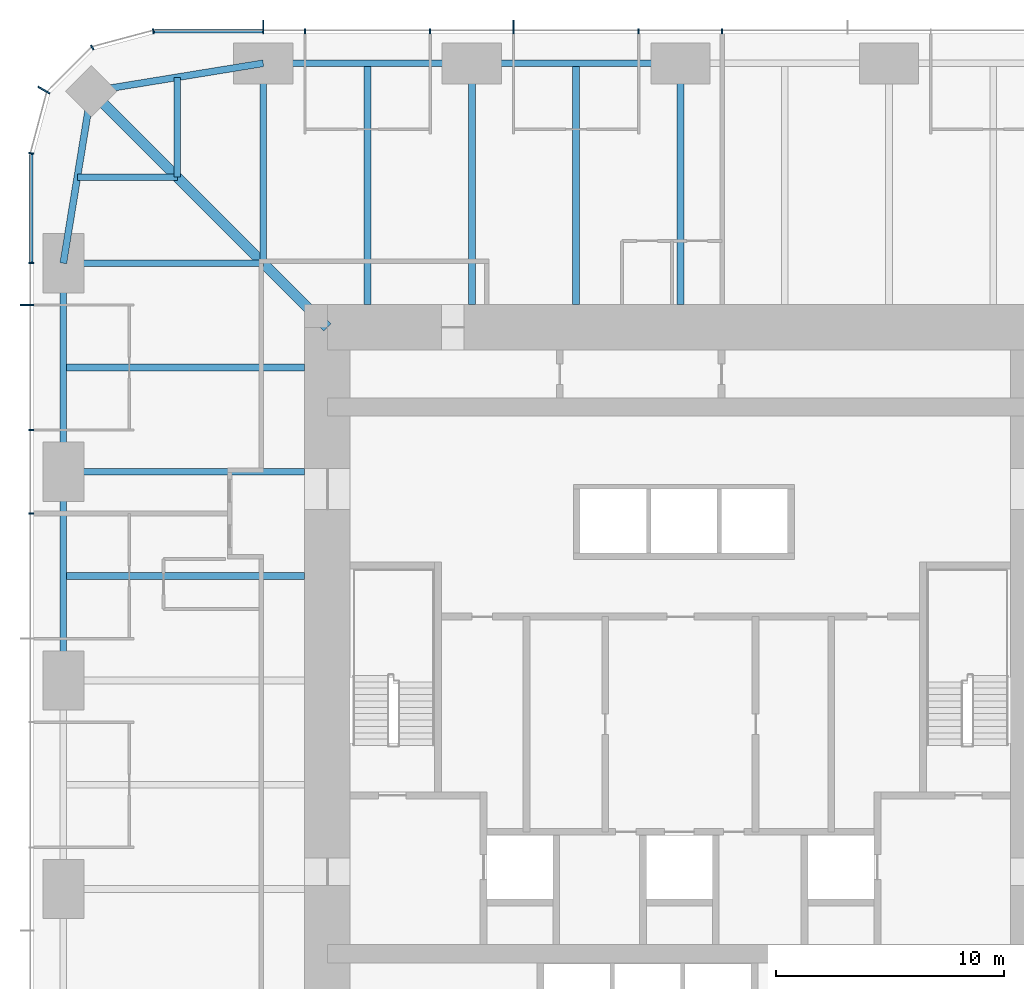
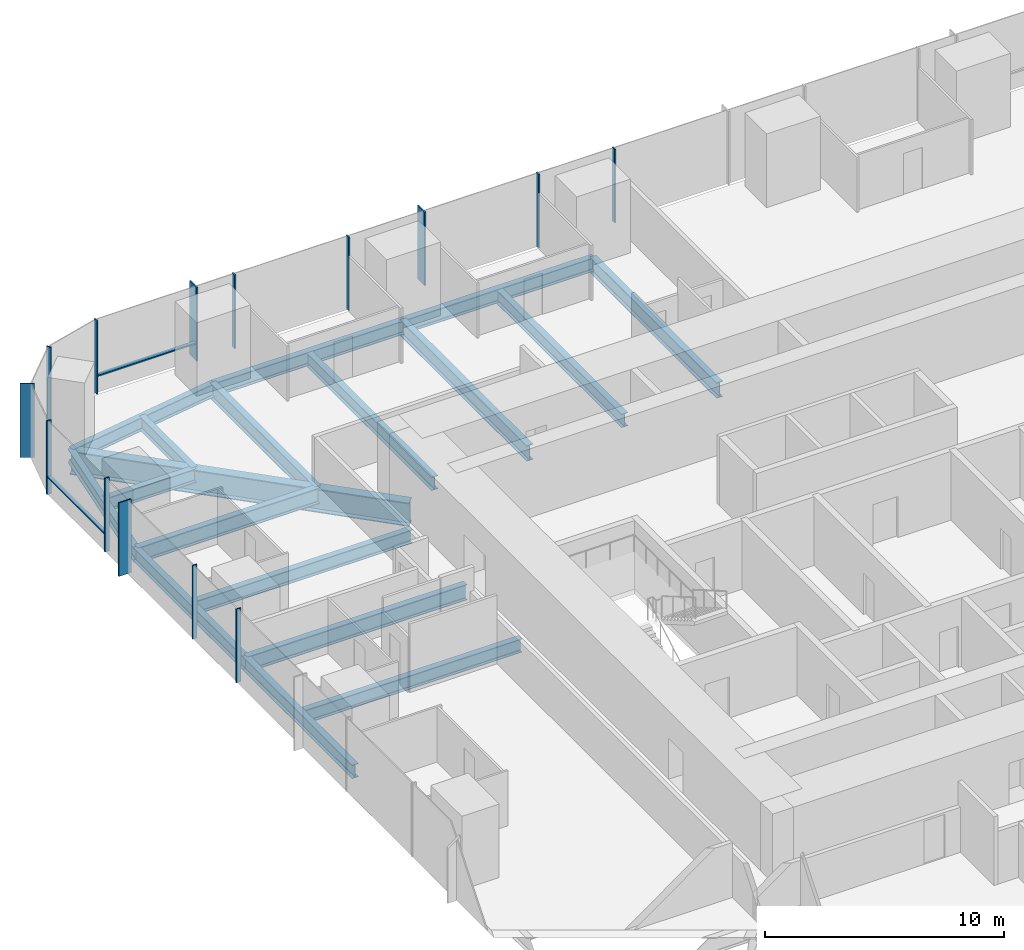
# One storey, part 5 of 12: 18 beams, 16 members, 3 elements without a shape of their own.
"""IFC4 building model written with IfcOpenShell, lengths in metres."""

from ifc_helpers import new_model, si_unit, direction, frame, origin, origin_2d, place, context, subcontext, project, spatial, rectangle, i_section, extrude, material, material_profile, profile_set, type_object, element, aggregate, save


model = new_model("IFC4")

# Units and contexts
model_context = context("Model", 3, precision=1e-05, world=origin(), true_north=direction((0.0, 1.0)))
body_context = subcontext(model_context, "Body", "Model", "MODEL_VIEW")
ifc_project = project(units=[si_unit("LENGTHUNIT", "METRE"), si_unit("AREAUNIT", "SQUARE_METRE"), si_unit("VOLUMEUNIT", "CUBIC_METRE"), si_unit("PLANEANGLEUNIT", "RADIAN"), si_unit("MASSUNIT", "GRAM", prefix="KILO")], contexts=[model_context])

# Site, building, storey
site_placement = place(None, origin())
site = spatial("IfcSite", under=ifc_project, at=site_placement, CompositionType="ELEMENT")
building_placement = place(site_placement, origin())
building = spatial("IfcBuilding", under=site, at=building_placement, Name="Khuree Lantern Residences", CompositionType="ELEMENT")
storey_placement = place(building_placement, frame((0.0, 0.0, 167.25)))
storey = spatial("IfcBuildingStorey", under=building, at=storey_placement, Name="L42", CompositionType="ELEMENT", Elevation=167.25)

# Beams
ifc_material_1 = material(Name="Steel S355", Category="steel")
ifc_material_profile_1 = material_profile(ifc_material_1, i_section(OverallWidth=0.300048828125, OverallDepth=0.68994140625, WebThickness=0.014404296875, FlangeThickness=0.027099609375, FilletRadius=0.027099609375, at=origin_2d()), Name="HE 700 A")
ifc_profile_set_1 = profile_set([ifc_material_profile_1], Name="Steel S355")
beam_type_1 = type_object("IfcBeamType", Name="B-24 SECONDARY BEAM HE 700 A", PredefinedType="BEAM", material=ifc_profile_set_1)
for number, where, z_axis, x_axis, name in (
    (1, (-13.739990234375, 27.10009765625, -0.594970703125), (0.0, -1.0, 0.0), (1.0, 0.0, 0.0), "Secondary beam N1"),
    (2, (-4.580078125, 27.10009765625, -0.594970703125), (0.0, -1.0, 0.0), (1.0, 0.0, 0.0), "Secondary beam N2"),
    (3, (-27.10009765625, 4.580078125, -0.594970703125), (1.0, 0.0, 0.0), (0.0, 1.0, 0.0), "Secondary beam W4"),
    (4, (-27.10009765625, 13.739990234375, -0.594970703125), (1.0, 0.0, 0.0), (0.0, 1.0, 0.0), "Secondary beam W5"),
):
    element("IfcBeam", number, at=place(storey_placement, frame(where, z_axis=z_axis, x_axis=x_axis)), inside=storey, type_object=beam_type_1, Name=name, PredefinedType="BEAM", context=body_context, shape_type="SweptSolid", body=[
        extrude(i_section(OverallWidth=0.300048828125, OverallDepth=0.68994140625, WebThickness=0.014404296875, FlangeThickness=0.027099609375, FilletRadius=0.027099609375, at=origin_2d()), origin(), (0.0, 0.0, 1.0), 10.60009765625),
    ])
for number, where, z_axis, x_axis, name in (
    (5, (-26.48486328125, 22.094970703125, -0.594970703125), (1.0, 0.0, 0.0), (0.0, 1.0, 0.0), "Secondary beam W6"),
    (6, (-22.094970703125, 26.48486328125, -0.594970703125), (0.0, -1.0, 0.0), (1.0, 0.0, 0.0), "Secondary beam N6"),
):
    element("IfcBeam", number, at=place(storey_placement, frame(where, z_axis=z_axis, x_axis=x_axis)), inside=storey, type_object=beam_type_1, Name=name, PredefinedType="BEAM", context=body_context, shape_type="SweptSolid", body=[
        extrude(i_section(OverallWidth=0.300048828125, OverallDepth=0.68994140625, WebThickness=0.014404296875, FlangeThickness=0.027099609375, FilletRadius=0.027099609375, at=origin_2d()), origin(), (0.0, 0.0, 1.0), 4.389892578125),
    ])
ifc_material_profile_2 = material_profile(ifc_material_1, i_section(OverallWidth=0.300048828125, OverallDepth=0.68994140625, WebThickness=0.014404296875, FlangeThickness=0.027099609375, FilletRadius=0.027099609375, at=origin_2d()), Name="HE 700 A")
ifc_profile_set_2 = profile_set([ifc_material_profile_2], Name="Steel S355")
beam_type_2 = type_object("IfcBeamType", Name="E-24 SPANDREL BEAM HE 700 A", PredefinedType="SPANDREL", material=ifc_profile_set_2)
beam_1_placement = place(storey_placement, frame((-18.320068359375, 27.10009765625, -0.594970703125), z_axis=(1.0, 0.0, 0.0), x_axis=(0.0, 1.0, 0.0)))
element("IfcBeam", 7, at=beam_1_placement, inside=storey, type_object=beam_type_2, Name="Spandrel beam N1", PredefinedType="SPANDREL", context=body_context, shape_type="SweptSolid", body=[
    extrude(i_section(OverallWidth=0.300048828125, OverallDepth=0.68994140625, WebThickness=0.014404296875, FlangeThickness=0.027099609375, FilletRadius=0.027099609375, at=origin_2d()), origin(), (0.0, 0.0, 1.0), 9.16015625),
])
for number, where, z_axis, x_axis, name in (
    (8, (-9.159912109375, 27.10009765625, -0.594970703125), (1.0, 0.0, 0.0), (0.0, 1.0, 0.0), "Spandrel beam N2"),
    (9, (-27.10009765625, 0.0, -0.594970703125), (0.0, 1.0, 0.0), (-1.0, 0.0, 0.0), "Spandrel beam W4"),
):
    element("IfcBeam", number, at=place(storey_placement, frame(where, z_axis=z_axis, x_axis=x_axis)), inside=storey, type_object=beam_type_2, Name=name, PredefinedType="SPANDREL", context=body_context, shape_type="SweptSolid", body=[
        extrude(i_section(OverallWidth=0.300048828125, OverallDepth=0.68994140625, WebThickness=0.014404296875, FlangeThickness=0.027099609375, FilletRadius=0.027099609375, at=origin_2d()), origin(), (0.0, 0.0, 1.0), 9.159912109375),
    ])
beam_2_placement = place(storey_placement, frame((-27.10009765625, 9.159912109375, -0.594970703125), z_axis=(0.0, 1.0, 0.0), x_axis=(-1.0, 0.0, 0.0)))
element("IfcBeam", 10, at=beam_2_placement, inside=storey, type_object=beam_type_2, Name="Spandrel beam W5", PredefinedType="SPANDREL", context=body_context, shape_type="SweptSolid", body=[
    extrude(i_section(OverallWidth=0.300048828125, OverallDepth=0.68994140625, WebThickness=0.014404296875, FlangeThickness=0.027099609375, FilletRadius=0.027099609375, at=origin_2d()), origin(), (0.0, 0.0, 1.0), 9.16015625),
])
for number, where, z_axis, x_axis, name in (
    (11, (-27.10009765625, 18.320068359375, -0.594970703125), (0.160826723833, 0.986982656839, 0.0), (-0.986982656839, 0.160826723833, 0.0), "Spandrel beam W6"),
    (12, (-25.869873046875, 25.869873046875, -0.594970703125), (0.986982656839, 0.160826723833, 0.0), (-0.160826723833, 0.986982656839, 0.0), "Spandrel beam N6"),
):
    element("IfcBeam", number, at=place(storey_placement, frame(where, z_axis=z_axis, x_axis=x_axis)), inside=storey, type_object=beam_type_2, Name=name, PredefinedType="SPANDREL", context=body_context, shape_type="SweptSolid", body=[
        extrude(i_section(OverallWidth=0.300048828125, OverallDepth=0.68994140625, WebThickness=0.014404296875, FlangeThickness=0.027099609375, FilletRadius=0.027099609375, at=origin_2d()), origin(), (0.0, 0.0, 1.0), 7.6494140625),
    ])

# Curtain wall, members
ifc_material_2 = material(Name="Bronze anodised aluminium", Category="aluminium")
curtain_wall_type_1 = type_object("IfcCurtainWallType", Name="CW-T1 TOWER FACE CURTAIN WALL", PredefinedType="USERDEFINED", material=ifc_material_2)
curtain_wall_1_placement = place(storey_placement, origin())
curtain_wall_1 = element("IfcCurtainWall", 13, at=curtain_wall_1_placement, inside=storey, type_object=curtain_wall_type_1, Name="L42 NORTH FACE CURTAIN WALL", ObjectType="Stick-built curtain wall", PredefinedType="USERDEFINED")
ifc_material_profile_3 = material_profile(ifc_material_2, rectangle(XDim=0.06494140625, YDim=0.60009765625, at=origin_2d()), Name="F1 65X600")
ifc_profile_set_3 = profile_set([ifc_material_profile_3], Name="Bronze anodised aluminium")
member_type_1 = type_object("IfcMemberType", Name="F1 BRONZE FIN MULLION TOWER 65X600", PredefinedType="MULLION", material=ifc_profile_set_3)
member_1_placement = place(storey_placement, frame((-7.327880859375, 28.699951171875, 0.0), z_axis=(0.0, 0.0, 1.0), x_axis=(-1.0, 0.0, 0.0)))
member_1 = element("IfcMember", 14, at=member_1_placement, type_object=member_type_1, Name="L42 NORTH FACE FIN MULLION 25", PredefinedType="MULLION", context=body_context, shape_type="SweptSolid", body=[
    extrude(rectangle(XDim=0.06494140625, YDim=0.60009765625, at=origin_2d()), origin(), (0.0, 0.0, 1.0), 3.75),
])
member_2_placement = place(storey_placement, frame((-18.320068359375, 28.699951171875, 0.0), z_axis=(0.0, 0.0, 1.0), x_axis=(-1.0, 0.0, 0.0)))
member_2 = element("IfcMember", 15, at=member_2_placement, type_object=member_type_1, Name="L42 NORTH FACE FIN MULLION 28", PredefinedType="MULLION", context=body_context, shape_type="SweptSolid", body=[
    extrude(rectangle(XDim=0.06494140625, YDim=0.60009765625, at=origin_2d()), origin(), (0.0, 0.0, 1.0), 3.75),
])

# Curtain wall, member
curtain_wall_type_2 = type_object("IfcCurtainWallType", Name="CW-T2 TOWER CORNER CURTAIN WALL", PredefinedType="USERDEFINED", material=ifc_material_2)
curtain_wall_2_placement = place(storey_placement, origin())
curtain_wall_2 = element("IfcCurtainWall", 16, at=curtain_wall_2_placement, inside=storey, type_object=curtain_wall_type_2, Name="L42 NORTH-WEST CORNER CURTAIN WALL", ObjectType="Faceted corner curtain wall", PredefinedType="USERDEFINED")
member_3_placement = place(storey_placement, frame((-27.95654296875, 25.925048828125, 0.0), z_axis=(0.0, 0.0, 1.0), x_axis=(-0.500000026995, -0.866025388199, 0.0)))
member_3 = element("IfcMember", 17, at=member_3_placement, type_object=member_type_1, Name="L42 NORTH-WEST CORNER FIN MULLION 31", PredefinedType="MULLION", context=body_context, shape_type="SweptSolid", body=[
    extrude(rectangle(XDim=0.06494140625, YDim=0.60009765625, at=origin_2d()), origin(), (0.0, 0.0, 1.0), 3.75),
])

curtain_wall_3_placement = place(storey_placement, origin())
curtain_wall_3 = element("IfcCurtainWall", 18, at=curtain_wall_3_placement, inside=storey, type_object=curtain_wall_type_1, Name="L42 WEST FACE CURTAIN WALL", ObjectType="Stick-built curtain wall", PredefinedType="USERDEFINED")
member_4_placement = place(storey_placement, frame((-28.699951171875, 16.488037109375, 0.0), z_axis=(0.0, 0.0, 1.0), x_axis=(0.0, -1.0, 0.0)))
member_4 = element("IfcMember", 19, at=member_4_placement, type_object=member_type_1, Name="L42 WEST FACE FIN MULLION 34", PredefinedType="MULLION", context=body_context, shape_type="SweptSolid", body=[
    extrude(rectangle(XDim=0.06494140625, YDim=0.60009765625, at=origin_2d()), origin(), (0.0, 0.0, 1.0), 3.75),
])

# Beams
ifc_material_profile_4 = material_profile(ifc_material_1, i_section(OverallWidth=0.300048828125, OverallDepth=0.800048828125, WebThickness=0.017578125, FlangeThickness=0.032958984375, FilletRadius=0.030029296875, at=origin_2d()), Name="HE 800 B")
ifc_profile_set_4 = profile_set([ifc_material_profile_4], Name="Steel S355")
beam_type_3 = type_object("IfcBeamType", Name="G-24 GIRDER HE 800 B", PredefinedType="BEAM", material=ifc_profile_set_4)
beam_3_placement = place(storey_placement, frame((-18.320068359375, 27.10009765625, -0.64990234375), z_axis=(0.0, -1.0, 0.0), x_axis=(1.0, 0.0, 0.0)))
element("IfcBeam", 20, at=beam_3_placement, inside=storey, type_object=beam_type_3, Name="Girder N1", PredefinedType="BEAM", context=body_context, shape_type="SweptSolid", body=[
    extrude(i_section(OverallWidth=0.300048828125, OverallDepth=0.800048828125, WebThickness=0.017578125, FlangeThickness=0.032958984375, FilletRadius=0.030029296875, at=origin_2d()), origin(), (0.0, 0.0, 1.0), 8.780029296875),
])
for number, where, z_axis, x_axis, name in (
    (21, (-9.159912109375, 27.10009765625, -0.64990234375), (0.0, -1.0, 0.0), (1.0, 0.0, 0.0), "Girder N2"),
    (22, (0.0, 27.10009765625, -0.64990234375), (0.0, -1.0, 0.0), (1.0, 0.0, 0.0), "Girder N3"),
    (23, (-27.10009765625, 9.159912109375, -0.64990234375), (1.0, 0.0, 0.0), (0.0, 1.0, 0.0), "Girder W4"),
):
    element("IfcBeam", number, at=place(storey_placement, frame(where, z_axis=z_axis, x_axis=x_axis)), inside=storey, type_object=beam_type_3, Name=name, PredefinedType="BEAM", context=body_context, shape_type="SweptSolid", body=[
        extrude(i_section(OverallWidth=0.300048828125, OverallDepth=0.800048828125, WebThickness=0.017578125, FlangeThickness=0.032958984375, FilletRadius=0.030029296875, at=origin_2d()), origin(), (0.0, 0.0, 1.0), 10.60009765625),
    ])
beam_4_placement = place(storey_placement, frame((-27.10009765625, 18.320068359375, -0.64990234375), z_axis=(1.0, 0.0, 0.0), x_axis=(0.0, 1.0, 0.0)))
element("IfcBeam", 24, at=beam_4_placement, inside=storey, type_object=beam_type_3, Name="Girder W5", PredefinedType="BEAM", context=body_context, shape_type="SweptSolid", body=[
    extrude(i_section(OverallWidth=0.300048828125, OverallDepth=0.800048828125, WebThickness=0.017578125, FlangeThickness=0.032958984375, FilletRadius=0.030029296875, at=origin_2d()), origin(), (0.0, 0.0, 1.0), 8.780029296875),
])
ifc_material_profile_5 = material_profile(ifc_material_1, i_section(OverallWidth=0.449951171875, OverallDepth=1.199951171875, WebThickness=0.02490234375, FlangeThickness=0.044921875, at=origin_2d()), Name="WELDED I 1200X450X25X45")
ifc_profile_set_5 = profile_set([ifc_material_profile_5], Name="Steel S355")
beam_type_4 = type_object("IfcBeamType", Name="GD-24 CORNER GIRDER WELDED I 1200X450X25X45", PredefinedType="BEAM", material=ifc_profile_set_5)
beam_5_placement = place(storey_placement, frame((-25.869873046875, 25.869873046875, -0.85009765625), z_axis=(0.707106781187, -0.707106781187, 0.0), x_axis=(0.707106781187, 0.707106781187, 0.0)))
element("IfcBeam", 25, at=beam_5_placement, inside=storey, type_object=beam_type_4, Name="Corner girder NW", PredefinedType="BEAM", context=body_context, shape_type="SweptSolid", body=[
    extrude(i_section(OverallWidth=0.449951171875, OverallDepth=1.199951171875, WebThickness=0.02490234375, FlangeThickness=0.044921875, at=origin_2d()), origin(), (0.0, 0.0, 1.0), 14.665283203125),
])

# Member
ifc_material_profile_6 = material_profile(ifc_material_2, rectangle(XDim=0.06494140625, YDim=0.219970703125, at=origin_2d()), Name="M1 65X220")
ifc_profile_set_6 = profile_set([ifc_material_profile_6], Name="Bronze anodised aluminium")
member_type_2 = type_object("IfcMemberType", Name="M1 BRONZE MULLION TOWER 65X220", PredefinedType="MULLION", material=ifc_profile_set_6)
member_5_placement = place(storey_placement, frame((1.83203125, 28.510009765625, 0.0), z_axis=(0.0, 0.0, 1.0), x_axis=(-1.0, 0.0, 0.0)))
member_5 = element("IfcMember", 26, at=member_5_placement, type_object=member_type_2, Name="L42 NORTH FACE MULLION 23", PredefinedType="MULLION", context=body_context, shape_type="SweptSolid", body=[
    extrude(rectangle(XDim=0.06494140625, YDim=0.219970703125, at=origin_2d()), origin(), (0.0, 0.0, 1.0), 3.75),
])

member_6_placement = place(storey_placement, frame((-1.83203125, 28.510009765625, 0.0), z_axis=(0.0, 0.0, 1.0), x_axis=(-1.0, 0.0, 0.0)))
member_6 = element("IfcMember", 27, at=member_6_placement, type_object=member_type_2, Name="L42 NORTH FACE MULLION 24", PredefinedType="MULLION", context=body_context, shape_type="SweptSolid", body=[
    extrude(rectangle(XDim=0.06494140625, YDim=0.219970703125, at=origin_2d()), origin(), (0.0, 0.0, 1.0), 3.75),
])

member_7_placement = place(storey_placement, frame((-10.991943359375, 28.510009765625, 0.0), z_axis=(0.0, 0.0, 1.0), x_axis=(-1.0, 0.0, 0.0)))
member_7 = element("IfcMember", 28, at=member_7_placement, type_object=member_type_2, Name="L42 NORTH FACE MULLION 26", PredefinedType="MULLION", context=body_context, shape_type="SweptSolid", body=[
    extrude(rectangle(XDim=0.06494140625, YDim=0.219970703125, at=origin_2d()), origin(), (0.0, 0.0, 1.0), 3.75),
])

member_8_placement = place(storey_placement, frame((-16.488037109375, 28.510009765625, 0.0), z_axis=(0.0, 0.0, 1.0), x_axis=(-1.0, 0.0, 0.0)))
member_8 = element("IfcMember", 29, at=member_8_placement, type_object=member_type_2, Name="L42 NORTH FACE MULLION 27", PredefinedType="MULLION", context=body_context, shape_type="SweptSolid", body=[
    extrude(rectangle(XDim=0.06494140625, YDim=0.219970703125, at=origin_2d()), origin(), (0.0, 0.0, 1.0), 3.75),
])

member_9_placement = place(storey_placement, frame((-23.14501953125, 28.51171875, 0.0), z_axis=(0.0, 0.0, 1.0), x_axis=(-0.991444857305, -0.130526223125, 0.0)))
member_9 = element("IfcMember", 30, at=member_9_placement, type_object=member_type_2, Name="L42 NORTH-WEST CORNER MULLION 29", PredefinedType="MULLION", context=body_context, shape_type="SweptSolid", body=[
    extrude(rectangle(XDim=0.06494140625, YDim=0.219970703125, at=origin_2d()), origin(), (0.0, 0.0, 1.0), 3.75),
])

member_10_placement = place(storey_placement, frame((-25.830078125, 27.7919921875, 0.0), z_axis=(0.0, 0.0, 1.0), x_axis=(-0.866025388199, -0.500000026995, 0.0)))
member_10 = element("IfcMember", 31, at=member_10_placement, type_object=member_type_2, Name="L42 NORTH-WEST CORNER MULLION 30", PredefinedType="MULLION", context=body_context, shape_type="SweptSolid", body=[
    extrude(rectangle(XDim=0.06494140625, YDim=0.219970703125, at=origin_2d()), origin(), (0.0, 0.0, 1.0), 3.75),
])

aggregate(curtain_wall_2, [member_9, member_10, member_3])

member_11_placement = place(storey_placement, frame((-28.51171875, 23.14501953125, 0.0), z_axis=(0.0, 0.0, 1.0), x_axis=(-0.130526223125, -0.991444857305, 0.0)))
member_11 = element("IfcMember", 32, at=member_11_placement, type_object=member_type_2, Name="L42 WEST FACE MULLION 32", PredefinedType="MULLION", context=body_context, shape_type="SweptSolid", body=[
    extrude(rectangle(XDim=0.06494140625, YDim=0.219970703125, at=origin_2d()), origin(), (0.0, 0.0, 1.0), 3.75),
])

member_12_placement = place(storey_placement, frame((-28.510009765625, 18.320068359375, 0.0), z_axis=(0.0, 0.0, 1.0), x_axis=(0.0, -1.0, 0.0)))
member_12 = element("IfcMember", 33, at=member_12_placement, type_object=member_type_2, Name="L42 WEST FACE MULLION 33", PredefinedType="MULLION", context=body_context, shape_type="SweptSolid", body=[
    extrude(rectangle(XDim=0.06494140625, YDim=0.219970703125, at=origin_2d()), origin(), (0.0, 0.0, 1.0), 3.75),
])

member_13_placement = place(storey_placement, frame((-28.510009765625, 10.991943359375, 0.0), z_axis=(0.0, 0.0, 1.0), x_axis=(0.0, -1.0, 0.0)))
member_13 = element("IfcMember", 34, at=member_13_placement, type_object=member_type_2, Name="L42 WEST FACE MULLION 35", PredefinedType="MULLION", context=body_context, shape_type="SweptSolid", body=[
    extrude(rectangle(XDim=0.06494140625, YDim=0.219970703125, at=origin_2d()), origin(), (0.0, 0.0, 1.0), 3.75),
])

member_14_placement = place(storey_placement, frame((-28.510009765625, 7.327880859375, 0.0), z_axis=(0.0, 0.0, 1.0), x_axis=(0.0, -1.0, 0.0)))
member_14 = element("IfcMember", 35, at=member_14_placement, type_object=member_type_2, Name="L42 WEST FACE MULLION 36", PredefinedType="MULLION", context=body_context, shape_type="SweptSolid", body=[
    extrude(rectangle(XDim=0.06494140625, YDim=0.219970703125, at=origin_2d()), origin(), (0.0, 0.0, 1.0), 3.75),
])

ifc_material_profile_7 = material_profile(ifc_material_2, rectangle(XDim=0.179931640625, YDim=0.06494140625, at=origin_2d()), Name="T1 180X65")
ifc_profile_set_7 = profile_set([ifc_material_profile_7], Name="Bronze anodised aluminium")
member_type_3 = type_object("IfcMemberType", Name="TRANSOM T1 TOWER 180X65", PredefinedType="USERDEFINED", material=ifc_profile_set_7)
member_15_placement = place(storey_placement, frame((-18.3525390625, 28.52001953125, 0.89990234375), z_axis=(-1.0, 0.0, 0.0), x_axis=(0.0, -1.0, 0.0)))
member_15 = element("IfcMember", 36, at=member_15_placement, type_object=member_type_3, Name="L42 NORTH FACE TRANSOM 28.1", ObjectType="Transom", PredefinedType="USERDEFINED", context=body_context, shape_type="SweptSolid", body=[
    extrude(rectangle(XDim=0.179931640625, YDim=0.06494140625, at=origin_2d()), origin(), (0.0, 0.0, 1.0), 4.748779296875),
])

aggregate(curtain_wall_1, [member_5, member_6, member_1, member_7, member_8, member_2, member_15])

member_16_placement = place(storey_placement, frame((-28.52001953125, 23.101318359375, 0.89990234375), z_axis=(0.0, -1.0, 0.0), x_axis=(1.0, 0.0, 0.0)))
member_16 = element("IfcMember", 37, at=member_16_placement, type_object=member_type_3, Name="L42 WEST FACE TRANSOM 32.1", ObjectType="Transom", PredefinedType="USERDEFINED", context=body_context, shape_type="SweptSolid", body=[
    extrude(rectangle(XDim=0.179931640625, YDim=0.06494140625, at=origin_2d()), origin(), (0.0, 0.0, 1.0), 4.748779296875),
])

aggregate(curtain_wall_3, [member_11, member_12, member_4, member_13, member_14, member_16])

save(model, "model.ifc")
